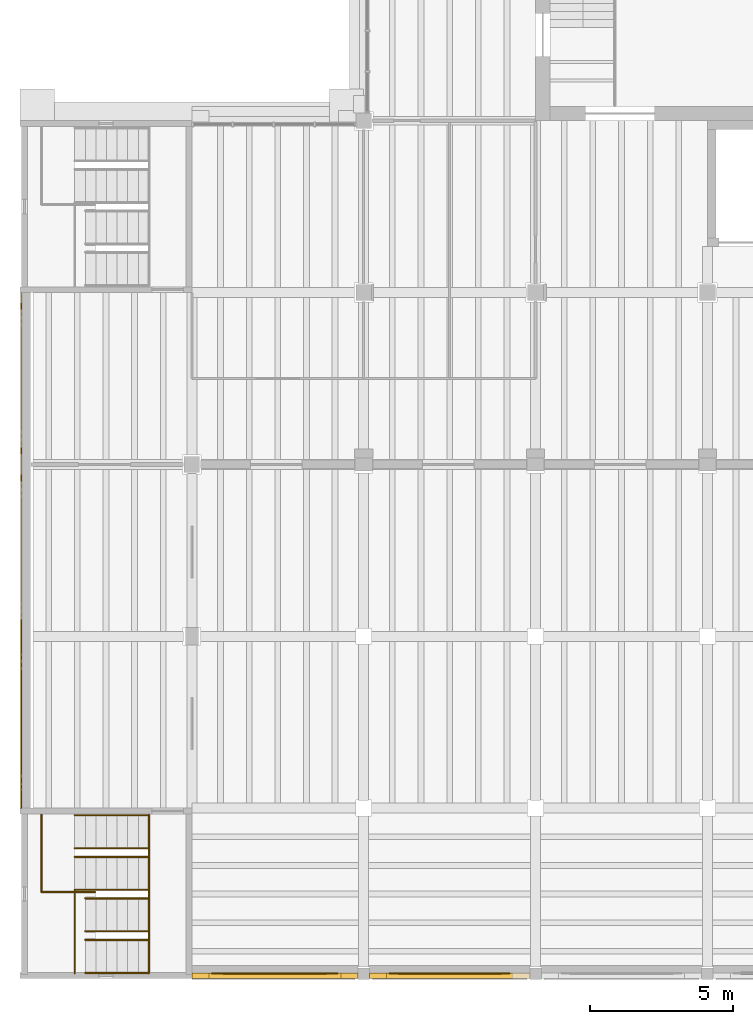
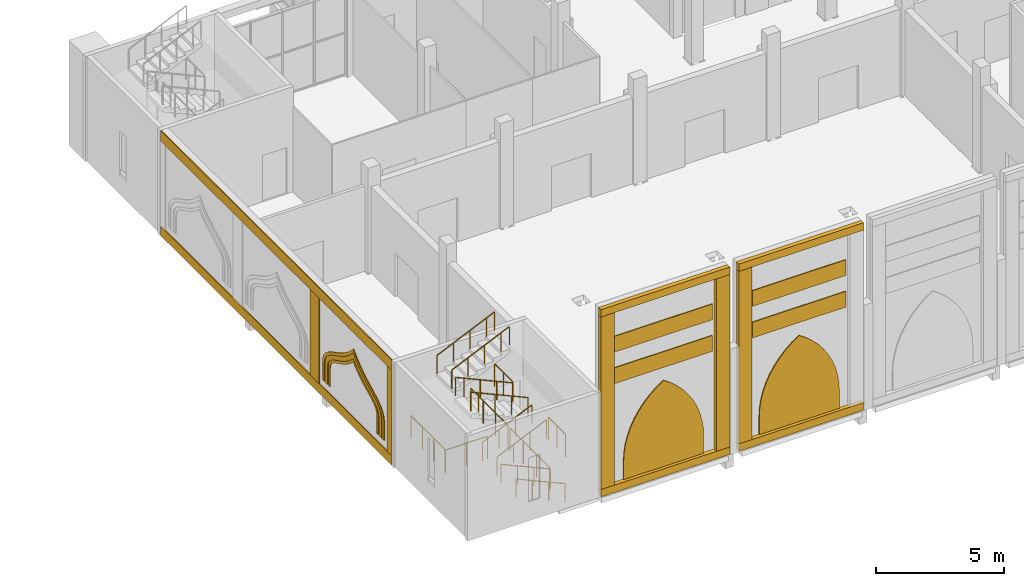
# One storey, part 58 of 80: 20 coverings, 14 railings.
"""IFC4 building model written with IfcOpenShell, lengths in metres."""

from ifc_helpers import new_model, si_unit, direction, frame, origin, origin_2d, place, context, subcontext, project, spatial, polyline, rectangle, circle, outline, extrude, material, layer, layer_set, type_object, element, save


model = new_model("IFC4")

# Units and contexts
model_context = context("Model", 3, precision=1e-05, world=origin(), true_north=direction((0.0, 1.0)))
body_context = subcontext(model_context, "Body", "Model", "MODEL_VIEW")
ifc_project = project(units=[si_unit("LENGTHUNIT", "METRE"), si_unit("AREAUNIT", "SQUARE_METRE"), si_unit("VOLUMEUNIT", "CUBIC_METRE"), si_unit("PLANEANGLEUNIT", "RADIAN"), si_unit("MASSUNIT", "GRAM", prefix="KILO")], contexts=[model_context])

# Site, building, storey
site_placement = place(None, origin())
site = spatial("IfcSite", under=ifc_project, at=site_placement, CompositionType="ELEMENT")
building_placement = place(site_placement, origin())
building = spatial("IfcBuilding", under=site, at=building_placement, Name="Saffron Lane Theatres", CompositionType="ELEMENT")
storey_placement = place(building_placement, frame((0.0, 0.0, 7.0)))
storey = spatial("IfcBuildingStorey", under=building, at=storey_placement, Name="L01", CompositionType="ELEMENT", Elevation=7.0)

# Coverings
ifc_material_1 = material(Name="Masonry pale clay brick", Category="masonry")
ifc_layer_1 = layer(ifc_material_1, 0.050048828125)
ifc_layer_set_1 = layer_set([ifc_layer_1], Name="Masonry pale clay brick")
covering_type_1 = type_object("IfcCoveringType", Name="EX-ARCH PANEL BRICK 50", PredefinedType="CLADDING", material=ifc_layer_set_1)
covering_1_placement = place(storey_placement, frame((16.800048828125, 0.25, 1.199951171875), z_axis=(0.0, 1.0, 0.0), x_axis=(0.0, 0.0, -1.0)))
element("IfcCovering", 1, at=covering_1_placement, inside=storey, type_object=covering_type_1, Name="Blind arch panel 9", PredefinedType="CLADDING", context=body_context, shape_type="SweptSolid", body=[
    extrude(outline(polyline([(0.0, 0.0), (0.89990234375, 0.0), (0.89990234375, 3.60009765625), (0.0, 3.60009765625), (-0.385986328125, 3.580078125), (-0.76904296875, 3.52197265625), (-1.14306640625, 3.425048828125), (-1.506103515625, 3.2900390625), (-1.85302734375, 3.1201171875), (-2.18115234375, 2.9150390625), (-2.487060546875, 2.677978515625), (-2.76708984375, 2.4111328125), (-3.01904296875, 2.1181640625), (-3.239990234375, 1.800048828125), (-3.01904296875, 1.48193359375), (-2.76708984375, 1.18896484375), (-2.487060546875, 0.922119140625), (-2.18115234375, 0.68505859375), (-1.85302734375, 0.47998046875), (-1.506103515625, 0.31005859375), (-1.14306640625, 0.175048828125), (-0.76904296875, 0.078125), (-0.385986328125, 0.02001953125), (0.0, 0.0)])), origin(), (0.0, 0.0, -1.0), 0.050048828125),
])
covering_2_placement = place(storey_placement, frame((10.699951171875, 0.25, 1.199951171875), z_axis=(0.0, 1.0, 0.0), x_axis=(0.0, 0.0, -1.0)))
element("IfcCovering", 2, at=covering_2_placement, inside=storey, type_object=covering_type_1, Name="Blind arch panel 10", PredefinedType="CLADDING", context=body_context, shape_type="SweptSolid", body=[
    extrude(outline(polyline([(0.0, 0.0), (0.89990234375, 0.0), (0.89990234375, 3.599853515625), (0.0, 3.599853515625), (-0.385986328125, 3.579833984375), (-0.76904296875, 3.52197265625), (-1.14306640625, 3.425048828125), (-1.506103515625, 3.2900390625), (-1.85302734375, 3.119873046875), (-2.18115234375, 2.9150390625), (-2.487060546875, 2.677978515625), (-2.76708984375, 2.410888671875), (-3.01904296875, 2.117919921875), (-3.239990234375, 1.800048828125), (-3.01904296875, 1.48193359375), (-2.76708984375, 1.18896484375), (-2.487060546875, 0.921875), (-2.18115234375, 0.68505859375), (-1.85302734375, 0.47998046875), (-1.506103515625, 0.31005859375), (-1.14306640625, 0.175048828125), (-0.76904296875, 0.077880859375), (-0.385986328125, 0.02001953125), (0.0, 0.0)])), origin(), (0.0, 0.0, -1.0), 0.050048828125),
])
ifc_material_2 = material(Name="Masonry sandstone", Category="masonry")
ifc_layer_2 = layer(ifc_material_2, 0.0400390625)
ifc_layer_set_2 = layer_set([ifc_layer_2], Name="Masonry sandstone")
covering_type_2 = type_object("IfcCoveringType", Name="EX-BANDING COURSE SANDSTONE 40", PredefinedType="CLADDING", material=ifc_layer_set_2)
for number, where, z_axis, x_axis, name in (
    (3, (15.0, 0.22998046875, 5.050048828125), (0.0, 0.0, 1.0), (-1.0, 0.0, 0.0), "Banding course L01"),
    (4, (15.0, 0.22998046875, 6.550048828125), (0.0, 0.0, 1.0), (-1.0, 0.0, 0.0), "Banding course L01"),
):
    element("IfcCovering", number, at=place(storey_placement, frame(where, z_axis=z_axis, x_axis=x_axis)), inside=storey, type_object=covering_type_2, Name=name, PredefinedType="CLADDING", context=body_context, shape_type="SweptSolid", body=[
        extrude(rectangle(XDim=4.199951171875, YDim=0.0400390625, at=origin_2d()), origin(), (0.0, 0.0, 1.0), 0.75),
    ])
for number, where, z_axis, x_axis, name in (
    (5, (8.89990234375, 0.22998046875, 5.050048828125), (0.0, 0.0, 1.0), (-1.0, 0.0, 0.0), "Banding course L01"),
    (6, (8.89990234375, 0.22998046875, 6.550048828125), (0.0, 0.0, 1.0), (-1.0, 0.0, 0.0), "Banding course L01"),
):
    element("IfcCovering", number, at=place(storey_placement, frame(where, z_axis=z_axis, x_axis=x_axis)), inside=storey, type_object=covering_type_2, Name=name, PredefinedType="CLADDING", context=body_context, shape_type="SweptSolid", body=[
        extrude(rectangle(XDim=4.39990234375, YDim=0.0400390625, at=origin_2d()), origin(), (0.0, 0.0, 1.0), 0.75),
    ])
ifc_material_3 = material(Name="Face brick cladding, pale buff", Category="masonry")
ifc_layer_3 = layer(ifc_material_3, 0.0400390625)
ifc_layer_set_3 = layer_set([ifc_layer_3], Name="Face brick cladding, pale buff")
covering_type_3 = type_object("IfcCoveringType", Name="EX-FACE BRICK SKIN PALE BUFF 40", PredefinedType="CLADDING", material=ifc_layer_set_3)
covering_3_placement = place(storey_placement, frame((0.0400390625, 15.0, 0.0), z_axis=(0.0, 0.0, 1.0), x_axis=(0.0, 1.0, 0.0)))
element("IfcCovering", 7, at=covering_3_placement, inside=storey, type_object=covering_type_3, Name="Face brick cladding, pale buff L01", PredefinedType="CLADDING", context=body_context, shape_type="SweptSolid", body=[
    extrude(rectangle(XDim=18.0, YDim=0.0400390625, at=origin_2d()), origin(), (0.0, 0.0, 1.0), 0.449951171875),
])
covering_4_placement = place(storey_placement, frame((0.0400390625, 15.0, 4.5), z_axis=(0.0, 0.0, 1.0), x_axis=(0.0, 1.0, 0.0)))
element("IfcCovering", 8, at=covering_4_placement, inside=storey, type_object=covering_type_3, Name="Face brick cladding, pale buff L01", PredefinedType="CLADDING", context=body_context, shape_type="SweptSolid", body=[
    extrude(rectangle(XDim=18.0, YDim=0.0400390625, at=origin_2d()), origin(), (0.0, 0.0, 1.0), 0.5),
])
covering_5_placement = place(storey_placement, frame((0.0400390625, 6.175048828125, 0.4501953125), z_axis=(0.0, 0.0, 1.0), x_axis=(0.0, 1.0, 0.0)))
element("IfcCovering", 9, at=covering_5_placement, inside=storey, type_object=covering_type_3, Name="Face brick cladding, pale buff L01", PredefinedType="CLADDING", context=body_context, shape_type="SweptSolid", body=[
    extrude(rectangle(XDim=0.35009765625, YDim=0.0400390625, at=origin_2d()), origin(), (0.0, 0.0, 1.0), 4.050048828125),
])
covering_6_placement = place(storey_placement, frame((0.0400390625, 12.0, 0.4501953125), z_axis=(0.0, 0.0, 1.0), x_axis=(0.0, 1.0, 0.0)))
element("IfcCovering", 10, at=covering_6_placement, inside=storey, type_object=covering_type_3, Name="Face brick cladding, pale buff L01", PredefinedType="CLADDING", context=body_context, shape_type="SweptSolid", body=[
    extrude(rectangle(XDim=0.699951171875, YDim=0.0400390625, at=origin_2d()), origin(), (0.0, 0.0, 1.0), 4.050048828125),
])
ifc_material_4 = material(Name="Face brick cladding, pale buff", Category="masonry")
ifc_layer_4 = layer(ifc_material_4, 0.0400390625)
ifc_layer_set_4 = layer_set([ifc_layer_4], Name="Face brick cladding, pale buff")
covering_type_4 = type_object("IfcCoveringType", Name="EX-NICHE FRAME RING FACE BRICK PALE BUFF", PredefinedType="CLADDING", material=ifc_layer_set_4)
covering_7_placement = place(storey_placement, frame((0.06005859375, 7.072998046875, 1.781982421875), z_axis=(1.0, 0.0, 0.0), x_axis=(0.0, -0.099876874266, -0.994999804013)))
element("IfcCovering", 11, at=covering_7_placement, inside=storey, type_object=covering_type_4, Name="Court wall niche ring", PredefinedType="CLADDING", context=body_context, shape_type="SweptSolid", body=[
    extrude(outline(polyline([(0.0, 0.0), (0.12955404561894843, 0.0), (0.9783160854682909, 0.08519770475760445), (0.9663435402376144, 0.20447136290472154), (0.12365449723893977, 0.11988325820977883), (0.013000353940100167, 0.11981746741056327), (-0.08157967087626716, 0.14050384297091023), (-0.16785901317901708, 0.18116209681061266), (-0.24935955106601798, 0.24021186952193996), (-0.327222731899884, 0.3168024814702797), (-0.40518988980104176, 0.4115398521141416), (-0.48245819298885373, 0.5213147910961914), (-0.5622578316821486, 0.6440854832631513), (-0.645802485100022, 0.7772764258597157), (-0.735617967841729, 0.9191618756141529), (-0.8336467187484453, 1.0670931777636374), (-0.9413941049183062, 1.2189562852984104), (-1.0634024519502998, 1.373559142548769), (-1.198626008189762, 1.527816943159885), (-1.3524568587192551, 1.6792254960818962), (-1.4789665846290467, 1.7882288884185995), (-1.376645789205673, 1.9202020111163973), (-1.255977182084978, 2.099164486870719), (-1.1541109412743662, 2.277221073928149), (-1.0652648376511713, 2.4529892453541233), (-0.9898506388048889, 2.6232378907787743), (-0.9231797151214924, 2.787701546627645), (-0.8633565554627429, 2.9446075419260676), (-0.8079510409373354, 3.0917461339563324), (-0.754144748915937, 3.2279280275018505), (-0.7002363201293227, 3.3508703278373937), (-0.6426541883235735, 3.459213971879866), (-0.5815672012141585, 3.549752233261906), (-0.5134290967007029, 3.6238225515172187), (-0.4369521234055537, 3.680818087036256), (-0.34837056320577786, 3.7198900004864806), (-0.23991098013252055, 3.7418185799481005), (0.6027780628661541, 3.826406684643043), (0.5908055176354775, 3.9456803427901606), (-0.25795652221386495, 3.860482638032556), (-0.3849258635671276, 3.834733131385724), (-0.49748057883491487, 3.7851576938369575), (-0.5938967650475713, 3.7141376762725486), (-0.6754630937337878, 3.624733501044819), (-0.7454359794169754, 3.520053438360064), (-0.8080679001191587, 3.4033511422885825), (-0.8642817673314318, 3.274043237072293), (-0.9197388103149663, 3.1347512330184024), (-0.9753872447144006, 2.987588256985631), (-1.0350650205091494, 2.8316783251858224), (-1.100352497106943, 2.6705433157168437), (-1.1739461771245818, 2.5041579244251517), (-1.2594176268159851, 2.3338812143938426), (-1.3587355093269116, 2.1622146162196643), (-1.4731875760350135, 1.9897649695121646), (-1.644152098967213, 1.7716477667142003), (-1.4332465799294165, 1.5918622158564055), (-1.2868027019328265, 1.4456009878408547), (-1.1553467041183734, 1.2970991920478225), (-1.0377371391234431, 1.1472075081119215), (-0.9325417918574198, 0.9987687426649908), (-0.8365304721014746, 0.8538247108603083), (-0.7470554452438202, 0.7128865565994715), (-0.66326787195192, 0.5797199980054136), (-0.5812322662363337, 0.45422933937018484), (-0.5004393244975395, 0.33867401156754484), (-0.41586180153953356, 0.23674842101498333), (-0.32647924986119614, 0.14806426397447273), (-0.2287707115156969, 0.07665548259651729), (-0.12016252404980576, 0.026215563147568656), (0.0, 0.0)])), origin(), (0.0, 0.0, -1.0), 0.0400390625),
])
covering_8_placement = place(storey_placement, frame((0.06005859375, 6.81494140625, 1.806884765625), z_axis=(1.0, 0.0, 0.0), x_axis=(0.0, -0.097602498656, -0.995225478098)))
element("IfcCovering", 12, at=covering_8_placement, inside=storey, type_object=covering_type_4, Name="Court wall niche ring", PredefinedType="CLADDING", context=body_context, shape_type="SweptSolid", body=[
    extrude(outline(polyline([(0.0, 0.0), (0.15258398432499873, -1.734723475976807e-18), (1.0034823301014801, 0.08344823005203435), (0.983966596117295, 0.2824447306776592), (0.14303022412060684, 0.19997347876158528), (0.021347030865985345, 0.20006019973167055), (-0.08105598130968264, 0.2211720683274247), (-0.17384546612589996, 0.26432356364484505), (-0.2621762430477341, 0.32704665375150543), (-0.34881635168790626, 0.41005112244310354), (-0.4352951280729198, 0.5139229222202154), (-0.5223985298235474, 0.6341693599434245), (-0.6123609891419856, 0.7710619269379977), (-0.7071356810301546, 0.9195028364489235), (-0.8093000152205879, 1.0782580725099888), (-0.9219696964763485, 1.2440783331879997), (-1.0452685560925583, 1.4157249148967381), (-1.1849135372998374, 1.5889574747070354), (-1.3405425214528295, 1.7625849665027211), (-1.5170673530463632, 1.9341631870863922), (-1.6375864539998406, 2.0349419389304635), (-1.5389421317978675, 2.157214209765664), (-1.3991135521404081, 2.3598174433498347), (-1.2801808199234905, 2.5603714057219906), (-1.1768508308919112, 2.7574327005557127), (-1.089247416340792, 2.949762624264784), (-1.0109387709888102, 3.1343122706712068), (-0.9415627761906096, 3.3098905936588108), (-0.8774318375425653, 3.473915495875056), (-0.8156826004918623, 3.624705293643291), (-0.7536946854559246, 3.7605544745518387), (-0.6890430303523685, 3.8792477475135207), (-0.6201791580396714, 3.977502606620111), (-0.5457167049014705, 4.056190949192466), (-0.4630782612052322, 4.116546791196799), (-0.36672774772551414, 4.157150565041715), (-0.24737977050318832, 4.180875391155038), (0.5935566014934999, 4.263346643071112), (0.5740408675093147, 4.462343143696737), (-0.27685747826716656, 4.378894913644702), (-0.42653435691930747, 4.349251967275562), (-0.5615936738570785, 4.290623903877926), (-0.678114625581625, 4.2080561651167585), (-0.7753635995622263, 4.104073815634537), (-0.8590387885494839, 3.9842508262517446), (-0.9322703508014747, 3.8504880268802486), (-0.9994748056325404, 3.705296028667516), (-1.0625721240695687, 3.5482412267631225), (-1.1278226226287136, 3.383125280990804), (-1.1961743724559073, 3.2096099014402286), (-1.2720677216005147, 3.030448674229103), (-1.3571796661191846, 2.8452318232420244), (-1.4545880191799425, 2.657827806887796), (-1.5674514553958936, 2.4679268516111126), (-1.6993622542305695, 2.277139154883557), (-1.9162787448638108, 2.007610379858595), (-1.6511328945431574, 1.7853578151201082), (-1.4846704299245153, 1.623831805001319), (-1.3370646980444105, 1.459475253669747), (-1.2051046791996864, 1.2945655631776316), (-1.0856316987772376, 1.1294125070802767), (-0.9763781205998351, 0.9684087759570008), (-0.8756192911407834, 0.8114781959827292), (-0.7795344094613266, 0.6621845302659649), (-0.6871277469454855, 0.5203801187765632), (-0.5929968215379495, 0.3910104006193854), (-0.49517400474178414, 0.27402303070438017), (-0.3898146668832099, 0.17273879716981205), (-0.27421756693457144, 0.0896304195681118), (-0.1437568052213211, 0.03005780073954853), (0.0, 0.0)])), origin(), (0.0, 0.0, -1.0), 0.0400390625),
])
covering_9_placement = place(storey_placement, frame((0.06005859375, 6.615966796875, 1.819091796875), z_axis=(1.0, 0.0, 0.0), x_axis=(0.0, -0.095154505176, -0.99546251569)))
element("IfcCovering", 13, at=covering_9_placement, inside=storey, type_object=covering_type_4, Name="Court wall niche ring", PredefinedType="CLADDING", context=body_context, shape_type="SweptSolid", body=[
    extrude(outline(polyline([(0.0, 0.0), (0.16677235193015855, 0.0), (1.0159290974922315, 0.08116939479637461), (1.0026176884429119, 0.22042721254310266), (0.1595367638994571, 0.13983859475586066), (0.014823216279246345, 0.13998512926278026), (-0.10934512126712533, 0.1663756365577664), (-0.22257340696762043, 0.21686570922248327), (-0.3289002747934381, 0.2900882875277417), (-0.42963381326976313, 0.3868993474346942), (-0.5294488305685677, 0.5048900046100768), (-0.6297677836106811, 0.6409812474023956), (-0.7316199879569047, 0.7931126576838663), (-0.8378396354118056, 0.9575797716393138), (-0.9529978877888029, 1.133455133060308), (-1.0782509380876162, 1.3174399285349754), (-1.2176713733969013, 1.505956571687059), (-1.3725547731985697, 1.6971644461491544), (-1.5465805832212491, 1.8885045590687133), (-1.7433585559524716, 2.076688819070955), (-1.9091248234021942, 2.2124101515836108), (-1.7720721712839882, 2.3770774102314363), (-1.6145082622094, 2.5991325854062923), (-1.4798823644862775, 2.819976170389789), (-1.364027179698321, 3.0370634683788333), (-1.2628451026703273, 3.248578881092569), (-1.174715318795271, 3.4529605651279733), (-1.094961232894998, 3.6474672530019423), (-1.021822643880291, 3.8290789042669844), (-0.9506354656162697, 3.997750843768552), (-0.8779150360481381, 4.150382615780968), (-0.8022603423292505, 4.285146112980101), (-0.7215984572885487, 4.398315427476591), (-0.6311616484325995, 4.491327312240725), (-0.5295489029147566, 4.562353659948372), (-0.4126286624423601, 4.6117893989657395), (-0.27056345798379405, 4.639348608303719), (0.5725174665596607, 4.719937226090961), (0.5592060575103411, 4.859195043837689), (-0.2899506880517318, 4.778025649041314), (-0.45370299953440074, 4.7464313797445), (-0.5984415652411588, 4.685262158136471), (-0.7227903904119071, 4.59808306155021), (-0.8288224022177035, 4.488619997875076), (-0.9210176251566882, 4.36012353135603), (-1.0025247641214508, 4.2147452174361355), (-1.0777309192886697, 4.054763488997374), (-1.1506068183946305, 3.8832323396046915), (-1.2254805904120076, 3.6992475441300243), (-1.3034762622292453, 3.506870967624936), (-1.390785810266788, 3.306736997284018), (-1.488787016290917, 3.100430707590657), (-1.6010914197953456, 2.889814158986441), (-1.7325024933971465, 2.6763902236703863), (-1.8837850757421926, 2.4630288335707), (-2.1062244572461672, 2.193569745407349), (-1.8367653690828158, 1.9711303639033746), (-1.6478019743852454, 1.790292486315115), (-1.4783383911450756, 1.6056286284913077), (-1.3281673266452003, 1.4201016466816205), (-1.1928570055543921, 1.236097194138952), (-1.0692140478255128, 1.0561278015551183), (-0.9560929824959343, 0.8810387228541807), (-0.8478129169132491, 0.715542293337932), (-0.7436447525552229, 0.5597082062474681), (-0.6396088266546607, 0.41808617932202474), (-0.5320364155200262, 0.29078164592633693), (-0.41716765814450424, 0.18207805987853043), (-0.292318471242811, 0.09468452255043612), (-0.1536128384063044, 0.031669323556456144), (0.0, 0.0)])), origin(), (0.0, 0.0, -1.0), 0.0400390625),
])
ifc_material_5 = material(Name="Masonry sandstone", Category="masonry")
ifc_layer_5 = layer(ifc_material_5, 0.14990234375)
ifc_layer_set_5 = layer_set([ifc_layer_5], Name="Masonry sandstone")
covering_type_5 = type_object("IfcCoveringType", Name="EX-PILASTER STRIP SANDSTONE 600", PredefinedType="CLADDING", material=ifc_layer_set_5)
for number, where, z_axis, x_axis, name in (
    (14, (12.5, 0.155029296875, 0.35009765625), (0.0, 0.0, 1.0), (-1.0, 0.0, 0.0), "Pilaster strip L01"),
    (15, (11.5, 0.155029296875, 0.35009765625), (0.0, 0.0, 1.0), (-1.0, 0.0, 0.0), "Pilaster strip L01"),
    (16, (6.300048828125, 0.155029296875, 0.35009765625), (0.0, 0.0, 1.0), (-1.0, 0.0, 0.0), "Pilaster strip L01"),
):
    element("IfcCovering", number, at=place(storey_placement, frame(where, z_axis=z_axis, x_axis=x_axis)), inside=storey, type_object=covering_type_5, Name=name, PredefinedType="CLADDING", context=body_context, shape_type="SweptSolid", body=[
        extrude(rectangle(XDim=0.60009765625, YDim=0.18994140625, at=origin_2d()), origin(), (0.0, 0.0, 1.0), 8.199951171875),
    ])
ifc_material_6 = material(Name="Masonry sandstone", Category="masonry")
ifc_layer_6 = layer(ifc_material_6, 0.14990234375)
ifc_layer_set_6 = layer_set([ifc_layer_6], Name="Masonry sandstone")
covering_type_6 = type_object("IfcCoveringType", Name="EX-STRING COURSE AND CORNICE SANDSTONE 350", PredefinedType="CLADDING", material=ifc_layer_set_6)
for number, where, z_axis, x_axis, name in (
    (17, (15.0, 0.155029296875, 0.0), (0.0, 0.0, 1.0), (-1.0, 0.0, 0.0), "String course L01"),
    (18, (15.0, 0.155029296875, 8.550048828125), (0.0, 0.0, 1.0), (-1.0, 0.0, 0.0), "Cornice L01"),
):
    element("IfcCovering", number, at=place(storey_placement, frame(where, z_axis=z_axis, x_axis=x_axis)), inside=storey, type_object=covering_type_6, Name=name, PredefinedType="CLADDING", context=body_context, shape_type="SweptSolid", body=[
        extrude(rectangle(XDim=5.60009765625, YDim=0.18994140625, at=origin_2d()), origin(), (0.0, 0.0, 1.0), 0.35009765625),
    ])
for number, where, z_axis, x_axis, name in (
    (19, (8.89990234375, 0.155029296875, 0.0), (0.0, 0.0, 1.0), (-1.0, 0.0, 0.0), "String course L01"),
    (20, (8.89990234375, 0.155029296875, 8.550048828125), (0.0, 0.0, 1.0), (-1.0, 0.0, 0.0), "Cornice L01"),
):
    element("IfcCovering", number, at=place(storey_placement, frame(where, z_axis=z_axis, x_axis=x_axis)), inside=storey, type_object=covering_type_6, Name=name, PredefinedType="CLADDING", context=body_context, shape_type="SweptSolid", body=[
        extrude(rectangle(XDim=5.800048828125, YDim=0.18994140625, at=origin_2d()), origin(), (0.0, 0.0, 1.0), 0.35009765625),
    ])

# Railings
ifc_material_7 = material(Name="Steel Grade 350", Category="steel")
railing_type_1 = type_object("IfcRailingType", Name="VC-GUARD 1100", PredefinedType="GUARDRAIL", material=ifc_material_7)
railing_1_placement = place(storey_placement, frame((0.75, 3.10009765625, 1.166748046875)))
element("IfcRailing", 21, at=railing_1_placement, inside=storey, type_object=railing_type_1, Name="Workshop South West Stair landing guard 2N1s", PredefinedType="GUARDRAIL", context=body_context, shape_type="SweptSolid", body=[
    extrude(circle(Radius=0.02392578125, at=origin_2d()), frame((0.0, 0.0, 1.076171875), z_axis=(0.0, 1.0, 0.0), x_axis=(-1.0, 0.0, 0.0)), (0.0, 0.0, 1.0), 2.669921875),
    extrude(circle(Radius=0.02099609375, at=origin_2d()), origin(), (0.0, 0.0, 1.0), 1.052001953125),
    extrude(circle(Radius=0.02099609375, at=origin_2d()), frame((0.0, 0.889892578125, 0.0)), (0.0, 0.0, 1.0), 1.052001953125),
    extrude(circle(Radius=0.02099609375, at=origin_2d()), frame((0.0, 1.780029296875, 0.0)), (0.0, 0.0, 1.0), 1.052001953125),
    extrude(circle(Radius=0.02099609375, at=origin_2d()), frame((0.0, 2.669921875, 0.0)), (0.0, 0.0, 1.0), 1.052001953125),
])
railing_2_placement = place(storey_placement, frame((2.6298828125, 3.070068359375, 1.166748046875)))
element("IfcRailing", 22, at=railing_2_placement, inside=storey, type_object=railing_type_1, Name="Workshop South West Stair landing guard 2N1e", PredefinedType="GUARDRAIL", context=body_context, shape_type="SweptSolid", body=[
    extrude(circle(Radius=0.02392578125, at=origin_2d()), frame((0.0, 0.0, 1.076171875), z_axis=(-1.0, 0.0, 0.0), x_axis=(0.0, -1.0, 0.0)), (0.0, 0.0, 1.0), 1.8798828125),
    extrude(circle(Radius=0.02099609375, at=origin_2d()), origin(), (0.0, 0.0, 1.0), 1.052001953125),
    extrude(circle(Radius=0.02099609375, at=origin_2d()), frame((-0.93994140625, 0.0, 0.0)), (0.0, 0.0, 1.0), 1.052001953125),
    extrude(circle(Radius=0.02099609375, at=origin_2d()), frame((-1.8798828125, 0.0, 0.0)), (0.0, 0.0, 1.0), 1.052001953125),
])
railing_3_placement = place(storey_placement, frame((1.909912109375, 0.22998046875, 3.666748046875)))
element("IfcRailing", 23, at=railing_3_placement, inside=storey, type_object=railing_type_1, Name="Workshop South West Stair landing guard 2N2s", PredefinedType="GUARDRAIL", context=body_context, shape_type="SweptSolid", body=[
    extrude(circle(Radius=0.02392578125, at=origin_2d()), frame((0.0, 0.0, 1.076171875), z_axis=(0.0, 1.0, 0.0), x_axis=(-1.0, 0.0, 0.0)), (0.0, 0.0, 1.0), 2.8701171875),
    extrude(circle(Radius=0.02099609375, at=origin_2d()), origin(), (0.0, 0.0, 1.0), 1.052001953125),
    extrude(circle(Radius=0.02099609375, at=origin_2d()), frame((0.0, 0.956787109375, 0.0)), (0.0, 0.0, 1.0), 1.052001953125),
    extrude(circle(Radius=0.02099609375, at=origin_2d()), frame((0.0, 1.913330078125, 0.0)), (0.0, 0.0, 1.0), 1.052001953125),
    extrude(circle(Radius=0.02099609375, at=origin_2d()), frame((0.0, 2.8701171875, 0.0)), (0.0, 0.0, 1.0), 1.052001953125),
])
railing_4_placement = place(storey_placement, frame((4.5, 0.22998046875, 2.333251953125)))
element("IfcRailing", 24, at=railing_4_placement, inside=storey, type_object=railing_type_1, Name="Workshop South West Stair landing guard 2S2w", PredefinedType="GUARDRAIL", context=body_context, shape_type="SweptSolid", body=[
    extrude(circle(Radius=0.02392578125, at=origin_2d()), frame((0.0, 0.0, 1.076171875), z_axis=(0.0, 1.0, 0.0), x_axis=(-1.0, 0.0, 0.0)), (0.0, 0.0, 1.0), 1.320068359375),
    extrude(circle(Radius=0.02099609375, at=origin_2d()), origin(), (0.0, 0.0, 1.0), 1.052001953125),
    extrude(circle(Radius=0.02099609375, at=origin_2d()), frame((0.0, 0.66015625, 0.0)), (0.0, 0.0, 1.0), 1.052001953125),
    extrude(circle(Radius=0.02099609375, at=origin_2d()), frame((0.0, 1.320068359375, 0.0)), (0.0, 0.0, 1.0), 1.052001953125),
])
railing_5_placement = place(storey_placement, frame((4.5, 4.35009765625, 2.333251953125)))
element("IfcRailing", 25, at=railing_5_placement, inside=storey, type_object=railing_type_1, Name="Workshop South West Stair landing guard 2S2e", PredefinedType="GUARDRAIL", context=body_context, shape_type="SweptSolid", body=[
    extrude(circle(Radius=0.02392578125, at=origin_2d()), frame((0.0, 0.0, 1.076171875), z_axis=(0.0, 1.0, 0.0), x_axis=(-1.0, 0.0, 0.0)), (0.0, 0.0, 1.0), 1.419921875),
    extrude(circle(Radius=0.02099609375, at=origin_2d()), origin(), (0.0, 0.0, 1.0), 1.052001953125),
    extrude(circle(Radius=0.02099609375, at=origin_2d()), frame((0.0, 0.7099609375, 0.0)), (0.0, 0.0, 1.0), 1.052001953125),
    extrude(circle(Radius=0.02099609375, at=origin_2d()), frame((0.0, 1.419921875, 0.0)), (0.0, 0.0, 1.0), 1.052001953125),
])
railing_6_placement = place(storey_placement, frame((4.5, 1.449951171875, 0.0)))
element("IfcRailing", 26, at=railing_6_placement, inside=storey, type_object=railing_type_1, Name="Workshop South West Stair guard L01", PredefinedType="GUARDRAIL", context=body_context, shape_type="SweptSolid", body=[
    extrude(circle(Radius=0.02392578125, at=origin_2d()), frame((0.0, 0.0, 1.076171875), z_axis=(0.0, 1.0, 0.0), x_axis=(-1.0, 0.0, 0.0)), (0.0, 0.0, 1.0), 3.10009765625),
    extrude(circle(Radius=0.02099609375, at=origin_2d()), origin(), (0.0, 0.0, 1.0), 1.052001953125),
    extrude(circle(Radius=0.02099609375, at=origin_2d()), frame((0.0, 1.033447265625, 0.0)), (0.0, 0.0, 1.0), 1.052001953125),
    extrude(circle(Radius=0.02099609375, at=origin_2d()), frame((0.0, 2.066650390625, 0.0)), (0.0, 0.0, 1.0), 1.052001953125),
    extrude(circle(Radius=0.02099609375, at=origin_2d()), frame((0.0, 3.10009765625, 0.0)), (0.0, 0.0, 1.0), 1.052001953125),
])
ifc_material_8 = material(Name="Steel Grade 350", Category="steel")
railing_type_2 = type_object("IfcRailingType", Name="VC-HANDRAIL 900", PredefinedType="HANDRAIL", material=ifc_material_8)
for number, where, name in (
    (27, (4.5, 0.25, 0.166748046875), "Workshop South West Stair handrail 2.1a"),
    (28, (4.5, 1.39990234375, 0.166748046875), "Workshop South West Stair handrail 2.1b"),
):
    element("IfcRailing", number, at=place(storey_placement, frame(where)), inside=storey, type_object=railing_type_2, Name=name, PredefinedType="HANDRAIL", context=body_context, shape_type="SweptSolid", body=[
        extrude(circle(Radius=0.02392578125, at=origin_2d()), frame((0.0, 0.0, 0.8759765625), z_axis=(-0.911803263409, 0.0, 0.410627335715), x_axis=(0.0, -1.0, 0.0)), (0.0, 0.0, 1.0), 0.8115234375),
        extrude(circle(Radius=0.02392578125, at=origin_2d()), frame((-0.739990234375, 0.0, 1.208984375), z_axis=(-0.911803263409, 0.0, 0.410627335715), x_axis=(0.0, -1.0, 0.0)), (0.0, 0.0, 1.0), 0.8115234375),
        extrude(circle(Radius=0.02392578125, at=origin_2d()), frame((-1.47998046875, 0.0, 1.54248046875), z_axis=(-0.911690610408, 0.0, 0.410877391559), x_axis=(0.0, -1.0, 0.0)), (0.0, 0.0, 1.0), 0.811767578125),
        extrude(circle(Radius=0.02099609375, at=origin_2d()), origin(), (0.0, 0.0, 1.0), 0.851806640625),
        extrude(circle(Radius=0.02099609375, at=origin_2d()), frame((-0.739990234375, 0.0, 0.333251953125)), (0.0, 0.0, 1.0), 0.851806640625),
        extrude(circle(Radius=0.02099609375, at=origin_2d()), frame((-1.47998046875, 0.0, 0.66650390625)), (0.0, 0.0, 1.0), 0.851806640625),
        extrude(circle(Radius=0.02099609375, at=origin_2d()), frame((-2.219970703125, 0.0, 1.0)), (0.0, 0.0, 1.0), 0.851806640625),
    ])
for number, where, name in (
    (29, (2.280029296875, 1.699951171875, 1.333251953125), "Workshop South West Stair handrail 2.2a"),
    (30, (2.280029296875, 2.85009765625, 1.333251953125), "Workshop South West Stair handrail 2.2b"),
):
    element("IfcRailing", number, at=place(storey_placement, frame(where)), inside=storey, type_object=railing_type_2, Name=name, PredefinedType="HANDRAIL", context=body_context, shape_type="SweptSolid", body=[
        extrude(circle(Radius=0.02392578125, at=origin_2d()), frame((0.0, 0.0, 0.8759765625), z_axis=(0.911690610408, 0.0, 0.410877391559), x_axis=(0.0, 1.0, 0.0)), (0.0, 0.0, 1.0), 0.811767578125),
        extrude(circle(Radius=0.02392578125, at=origin_2d()), frame((0.739990234375, 0.0, 1.20947265625), z_axis=(0.911803263409, 0.0, 0.410627335715), x_axis=(0.0, 1.0, 0.0)), (0.0, 0.0, 1.0), 0.8115234375),
        extrude(circle(Radius=0.02392578125, at=origin_2d()), frame((1.47998046875, 0.0, 1.54248046875), z_axis=(0.911803263409, 0.0, 0.410627335715), x_axis=(0.0, 1.0, 0.0)), (0.0, 0.0, 1.0), 0.8115234375),
        extrude(circle(Radius=0.02099609375, at=origin_2d()), origin(), (0.0, 0.0, 1.0), 0.851806640625),
        extrude(circle(Radius=0.02099609375, at=origin_2d()), frame((0.739990234375, 0.0, 0.33349609375)), (0.0, 0.0, 1.0), 0.851806640625),
        extrude(circle(Radius=0.02099609375, at=origin_2d()), frame((1.47998046875, 0.0, 0.666748046875)), (0.0, 0.0, 1.0), 0.851806640625),
        extrude(circle(Radius=0.02099609375, at=origin_2d()), frame((2.219970703125, 0.0, 1.0)), (0.0, 0.0, 1.0), 0.851806640625),
    ])
for number, where, name in (
    (31, (4.5, 3.14990234375, 2.5), "Workshop South West Stair handrail 2.3a"),
    (32, (4.5, 4.300048828125, 2.5), "Workshop South West Stair handrail 2.3b"),
):
    element("IfcRailing", number, at=place(storey_placement, frame(where)), inside=storey, type_object=railing_type_2, Name=name, PredefinedType="HANDRAIL", context=body_context, shape_type="SweptSolid", body=[
        extrude(circle(Radius=0.02392578125, at=origin_2d()), frame((0.0, 0.0, 0.8759765625), z_axis=(-0.911803263409, 0.0, 0.410627335715), x_axis=(0.0, -1.0, 0.0)), (0.0, 0.0, 1.0), 0.8115234375),
        extrude(circle(Radius=0.02392578125, at=origin_2d()), frame((-0.739990234375, 0.0, 1.208984375), z_axis=(-0.911690610408, 0.0, 0.410877391559), x_axis=(0.0, -1.0, 0.0)), (0.0, 0.0, 1.0), 0.811767578125),
        extrude(circle(Radius=0.02392578125, at=origin_2d()), frame((-1.47998046875, 0.0, 1.54248046875), z_axis=(-0.911803263409, 0.0, 0.410627335715), x_axis=(0.0, -1.0, 0.0)), (0.0, 0.0, 1.0), 0.8115234375),
        extrude(circle(Radius=0.02392578125, at=origin_2d()), frame((-2.219970703125, 0.0, 1.8759765625), z_axis=(-0.911741368748, 0.0, 0.410764745947), x_axis=(0.0, -1.0, 0.0)), (0.0, 0.0, 1.0), 0.406005859375),
        extrude(circle(Radius=0.02099609375, at=origin_2d()), origin(), (0.0, 0.0, 1.0), 0.851806640625),
        extrude(circle(Radius=0.02099609375, at=origin_2d()), frame((-0.739990234375, 0.0, 0.333251953125)), (0.0, 0.0, 1.0), 0.851806640625),
        extrude(circle(Radius=0.02099609375, at=origin_2d()), frame((-1.47998046875, 0.0, 0.666748046875)), (0.0, 0.0, 1.0), 0.851806640625),
        extrude(circle(Radius=0.02099609375, at=origin_2d()), frame((-2.219970703125, 0.0, 1.0)), (0.0, 0.0, 1.0), 0.851806640625),
        extrude(circle(Radius=0.02099609375, at=origin_2d()), frame((-2.590087890625, 0.0, 1.166748046875)), (0.0, 0.0, 1.0), 0.851806640625),
    ])
for number, where, name in (
    (33, (1.909912109375, 4.60009765625, 3.833251953125), "Workshop South West Stair handrail 2.4a"),
    (34, (1.909912109375, 5.75, 3.833251953125), "Workshop South West Stair handrail 2.4b"),
):
    element("IfcRailing", number, at=place(storey_placement, frame(where)), inside=storey, type_object=railing_type_2, Name=name, PredefinedType="HANDRAIL", context=body_context, shape_type="SweptSolid", body=[
        extrude(circle(Radius=0.02392578125, at=origin_2d()), frame((0.0, 0.0, 0.8759765625), z_axis=(0.911690610408, 0.0, 0.410877391559), x_axis=(0.0, 1.0, 0.0)), (0.0, 0.0, 1.0), 0.811767578125),
        extrude(circle(Radius=0.02392578125, at=origin_2d()), frame((0.739990234375, 0.0, 1.20947265625), z_axis=(0.911803263409, 0.0, 0.410627335715), x_axis=(0.0, 1.0, 0.0)), (0.0, 0.0, 1.0), 0.8115234375),
        extrude(circle(Radius=0.02392578125, at=origin_2d()), frame((1.47998046875, 0.0, 1.54248046875), z_axis=(0.911803263409, 0.0, 0.410627335715), x_axis=(0.0, 1.0, 0.0)), (0.0, 0.0, 1.0), 0.8115234375),
        extrude(circle(Radius=0.02392578125, at=origin_2d()), frame((2.219970703125, 0.0, 1.8759765625), z_axis=(0.911741368748, 0.0, 0.410764745947), x_axis=(0.0, 1.0, 0.0)), (0.0, 0.0, 1.0), 0.406005859375),
        extrude(circle(Radius=0.02099609375, at=origin_2d()), origin(), (0.0, 0.0, 1.0), 0.851806640625),
        extrude(circle(Radius=0.02099609375, at=origin_2d()), frame((0.739990234375, 0.0, 0.33349609375)), (0.0, 0.0, 1.0), 0.851806640625),
        extrude(circle(Radius=0.02099609375, at=origin_2d()), frame((1.47998046875, 0.0, 0.666748046875)), (0.0, 0.0, 1.0), 0.851806640625),
        extrude(circle(Radius=0.02099609375, at=origin_2d()), frame((2.219970703125, 0.0, 1.0)), (0.0, 0.0, 1.0), 0.851806640625),
        extrude(circle(Radius=0.02099609375, at=origin_2d()), frame((2.590087890625, 0.0, 1.166748046875)), (0.0, 0.0, 1.0), 0.851806640625),
    ])

save(model, "model.ifc")
